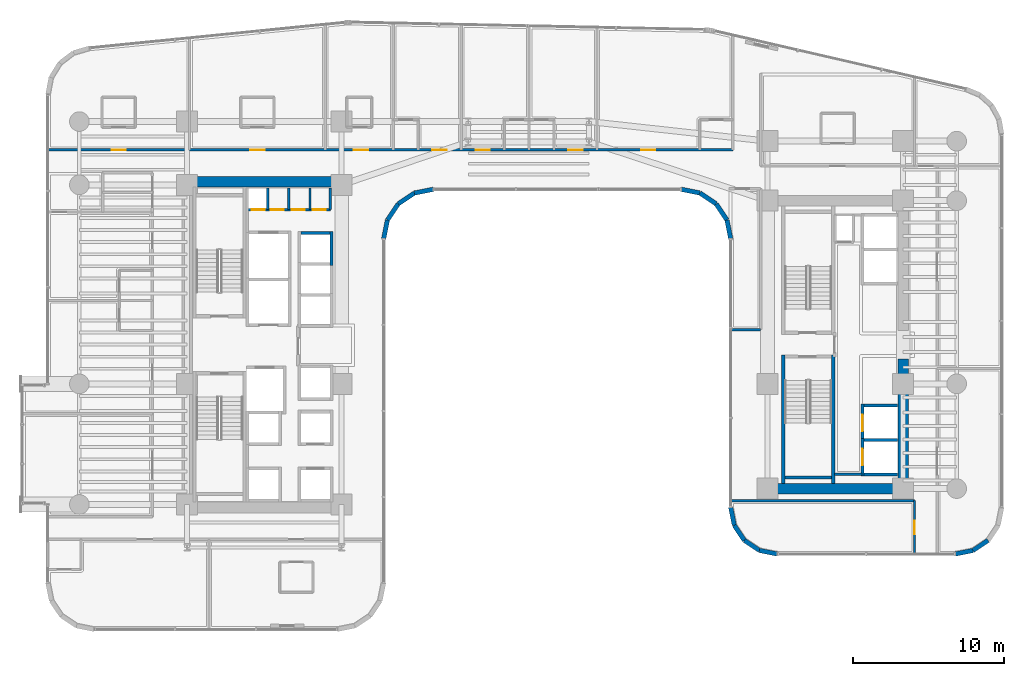
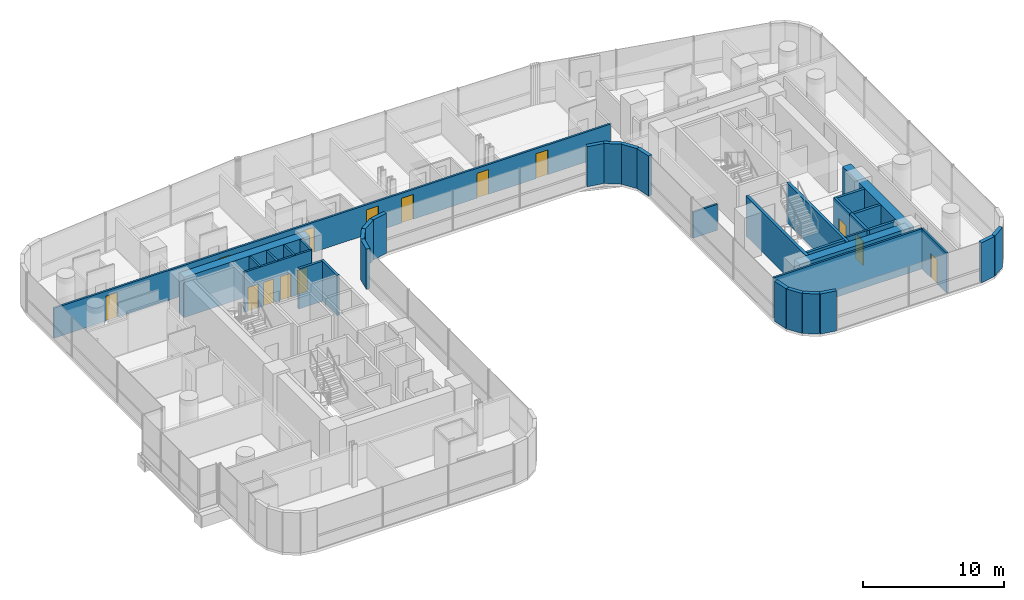
# One storey, part 32 of 40: 37 walls, 14 doors, 14 openings.
"""IFC4 building model written with IfcOpenShell, lengths in metres."""

from ifc_helpers import new_model, si_unit, direction, frame, frame_2d, origin, place, context, subcontext, project, spatial, rectangle, extrude, material, layer, layer_set, type_object, element, fill, save


model = new_model("IFC4")

# Units and contexts
model_context = context("Model", 3, precision=1e-05, world=origin(), true_north=direction((0.0, 1.0)))
body_context = subcontext(model_context, "Body", "Model", "MODEL_VIEW")
ifc_project = project(units=[si_unit("LENGTHUNIT", "METRE"), si_unit("AREAUNIT", "SQUARE_METRE"), si_unit("VOLUMEUNIT", "CUBIC_METRE"), si_unit("PLANEANGLEUNIT", "RADIAN"), si_unit("MASSUNIT", "GRAM", prefix="KILO")], contexts=[model_context])

# Site, building, storey
site_placement = place(None, origin())
site = spatial("IfcSite", under=ifc_project, at=site_placement, CompositionType="ELEMENT")
building_placement = place(site_placement, origin())
building = spatial("IfcBuilding", under=site, at=building_placement, Name="Valdorenza Pilgrim Sanctuary Tower", CompositionType="ELEMENT")
storey_placement = place(building_placement, frame((0.0, 0.0, 92.60009765625)))
storey = spatial("IfcBuildingStorey", under=building, at=storey_placement, Name="L23", CompositionType="ELEMENT", Elevation=92.60009765625)

# Wall, openings, doors
ifc_material_1 = material(Name="Acoustic twin-stud gypsum partition", Category="gypsum")
ifc_layer_1 = layer(ifc_material_1, 0.159912109375, Name="Acoustic twin-stud gypsum partition")
ifc_layer_set_1 = layer_set([ifc_layer_1], Name="Acoustic twin-stud gypsum partition")
wall_type_1 = type_object("IfcWallType", Name="WAL-COR-160", PredefinedType="PARTITIONING", material=ifc_layer_set_1)
wall_1_placement = place(storey_placement, frame((-18.64990234375, 8.949951171875, 0.0), z_axis=(0.0, 0.0, 1.0), x_axis=(1.0, 0.0, 0.0)))
wall_1 = element("IfcWall", 1, at=wall_1_placement, inside=storey, type_object=wall_type_1, Name="L23 Core A North Service South Wall", PredefinedType="PARTITIONING", context=body_context, shape_type="SweptSolid", body=[
    extrude(rectangle(XDim=5.5, YDim=0.159912109375, at=frame_2d((2.75, 0.0))), origin(), (0.0, 0.0, 1.0), 3.4599609375),
])
opening_1_placement = place(wall_1_placement, frame((0.300048828125, 0.0, 0.0)))
opening_1 = element("IfcOpeningElement", 2, at=opening_1_placement, cuts=wall_1, Name="Opening DR-RS1", PredefinedType="OPENING", context=body_context, shape_type="SweptSolid", body=[
    extrude(rectangle(XDim=0.85009765625, YDim=2.050048828125, at=frame_2d((0.425048828125, 1.02490234375))), frame((0.0, 0.0947265625, 0.0), z_axis=(0.0, -1.0, 0.0), x_axis=(1.0, 0.0, 0.0)), (0.0, 0.0, 1.0), 0.189697265625),
])
opening_2_placement = place(wall_1_placement, frame((1.550048828125, 0.0, 0.0)))
opening_2 = element("IfcOpeningElement", 3, at=opening_2_placement, cuts=wall_1, Name="Opening DR-RS1", PredefinedType="OPENING", context=body_context, shape_type="SweptSolid", body=[
    extrude(rectangle(XDim=0.85009765625, YDim=2.050048828125, at=frame_2d((0.425048828125, 1.02490234375))), frame((0.0, 0.0947265625, 0.0), z_axis=(0.0, -1.0, 0.0), x_axis=(1.0, 0.0, 0.0)), (0.0, 0.0, 1.0), 0.189697265625),
])
opening_3_placement = place(wall_1_placement, frame((2.949951171875, 0.0, 0.0)))
opening_3 = element("IfcOpeningElement", 4, at=opening_3_placement, cuts=wall_1, Name="Opening DR-RS1", PredefinedType="OPENING", context=body_context, shape_type="SweptSolid", body=[
    extrude(rectangle(XDim=0.85009765625, YDim=2.050048828125, at=frame_2d((0.425048828125, 1.02490234375))), frame((0.0, 0.0947265625, 0.0), z_axis=(0.0, -1.0, 0.0), x_axis=(1.0, 0.0, 0.0)), (0.0, 0.0, 1.0), 0.189697265625),
])
opening_4_placement = place(wall_1_placement, frame((4.35009765625, 0.0, 0.0)))
opening_4 = element("IfcOpeningElement", 5, at=opening_4_placement, cuts=wall_1, Name="Opening DR-RS1", PredefinedType="OPENING", context=body_context, shape_type="SweptSolid", body=[
    extrude(rectangle(XDim=0.85009765625, YDim=2.050048828125, at=frame_2d((0.425048828125, 1.02490234375))), frame((0.0, 0.0947265625, 0.0), z_axis=(0.0, -1.0, 0.0), x_axis=(1.0, 0.0, 0.0)), (0.0, 0.0, 1.0), 0.189697265625),
])
ifc_material_2 = material(Name="Painted galvanized steel", Category="steel")
door_type_1 = type_object("IfcDoorType", Name="DR-RSR-850", OperationType="NOTDEFINED", PredefinedType="DOOR", material=ifc_material_2)
door_1_placement = place(opening_1_placement, origin())
door_1 = element("IfcDoor", 6, at=door_1_placement, inside=storey, type_object=door_type_1, Name="L23 Core Electrical and Telecom Riser Door", OperationType="SINGLE_SWING_LEFT", OverallHeight=2.050048828125, OverallWidth=0.85009765625, PredefinedType="DOOR", context=body_context, shape_type="SweptSolid", body=[
    extrude(rectangle(XDim=0.85009765625, YDim=2.050048828125, at=frame_2d((0.425048828125, 1.02490234375))), frame((0.0, 0.02490234375, 0.0), z_axis=(0.0, -1.0, 0.0), x_axis=(1.0, 0.0, 0.0)), (0.0, 0.0, 1.0), 0.050048828125),
])
fill(opening_1, door_1)
door_2_placement = place(opening_2_placement, origin())
door_2 = element("IfcDoor", 7, at=door_2_placement, inside=storey, type_object=door_type_1, Name="L23 Housekeeping and Clean Linen Room Door", OperationType="SINGLE_SWING_RIGHT", OverallHeight=2.050048828125, OverallWidth=0.85009765625, PredefinedType="DOOR", context=body_context, shape_type="SweptSolid", body=[
    extrude(rectangle(XDim=0.85009765625, YDim=2.050048828125, at=frame_2d((0.425048828125, 1.02490234375))), frame((0.0, 0.02490234375, 0.0), z_axis=(0.0, -1.0, 0.0), x_axis=(1.0, 0.0, 0.0)), (0.0, 0.0, 1.0), 0.050048828125),
])
fill(opening_2, door_2)
door_3_placement = place(opening_3_placement, origin())
door_3 = element("IfcDoor", 8, at=door_3_placement, inside=storey, type_object=door_type_1, Name="L23 Core IT Server Closet Door", OperationType="SINGLE_SWING_LEFT", OverallHeight=2.050048828125, OverallWidth=0.85009765625, PredefinedType="DOOR", context=body_context, shape_type="SweptSolid", body=[
    extrude(rectangle(XDim=0.85009765625, YDim=2.050048828125, at=frame_2d((0.425048828125, 1.02490234375))), frame((0.0, 0.02490234375, 0.0), z_axis=(0.0, -1.0, 0.0), x_axis=(1.0, 0.0, 0.0)), (0.0, 0.0, 1.0), 0.050048828125),
])
fill(opening_3, door_3)
door_4_placement = place(opening_4_placement, origin())
door_4 = element("IfcDoor", 9, at=door_4_placement, inside=storey, type_object=door_type_1, Name="L23 Core Staff Washroom Door", OperationType="SINGLE_SWING_RIGHT", OverallHeight=2.050048828125, OverallWidth=0.85009765625, PredefinedType="DOOR", context=body_context, shape_type="SweptSolid", body=[
    extrude(rectangle(XDim=0.85009765625, YDim=2.050048828125, at=frame_2d((0.425048828125, 1.02490234375))), frame((0.0, 0.02490234375, 0.0), z_axis=(0.0, -1.0, 0.0), x_axis=(1.0, 0.0, 0.0)), (0.0, 0.0, 1.0), 0.050048828125),
])
fill(opening_4, door_4)

# Walls
for number, where, z_axis, x_axis, name in (
    (10, (-13.14990234375, 8.949951171875, 0.0), (0.0, 0.0, 1.0), (0.0, 1.0, 0.0), "L23 Core A North Service East Wall"),
    (11, (-17.300048828125, 8.949951171875, 0.0), (0.0, 0.0, 1.0), (0.0, 1.0, 0.0), "L23 Core Electrical Riser Wall"),
    (12, (-15.89990234375, 8.949951171875, 0.0), (0.0, 0.0, 1.0), (0.0, 1.0, 0.0), "L23 Core A Split D1"),
    (13, (-14.5, 8.949951171875, 0.0), (0.0, 0.0, 1.0), (0.0, 1.0, 0.0), "L23 Core A Split D2"),
):
    element("IfcWall", number, at=place(storey_placement, frame(where, z_axis=z_axis, x_axis=x_axis)), inside=storey, type_object=wall_type_1, Name=name, PredefinedType="PARTITIONING", context=body_context, shape_type="SweptSolid", body=[
        extrude(rectangle(XDim=1.429931640625, YDim=0.159912109375, at=frame_2d((0.71484375, 0.0))), origin(), (0.0, 0.0, 1.0), 3.4599609375),
    ])
wall_2_placement = place(storey_placement, frame((20.300048828125, -8.60009765625, 0.0), z_axis=(0.0, 0.0, 1.0), x_axis=(1.0, 0.0, 0.0)))
element("IfcWall", 14, at=wall_2_placement, inside=storey, type_object=wall_type_1, Name="L23 Core B Lift Hall South End Wall", PredefinedType="PARTITIONING", context=body_context, shape_type="SweptSolid", body=[
    extrude(rectangle(XDim=1.820068359375, YDim=0.159912109375, at=frame_2d((0.91015625, 0.0))), origin(), (0.0, 0.0, 1.0), 3.4599609375),
])

# Wall, openings, doors
wall_3_placement = place(storey_placement, frame((-31.889892578125, 12.919921875, 0.0), z_axis=(0.0, 0.0, 1.0), x_axis=(1.0, 0.0, 0.0)))
wall_3 = element("IfcWall", 15, at=wall_3_placement, inside=storey, type_object=wall_type_1, Name="L23 North Corridor Wall", PredefinedType="PARTITIONING", context=body_context, shape_type="SweptSolid", body=[
    extrude(rectangle(XDim=45.43994140625, YDim=0.159912109375, at=frame_2d((22.719970703125, 0.0))), origin(), (0.0, 0.0, 1.0), 2.5830078125),
])
opening_5_placement = place(wall_3_placement, frame((4.22509765625, 0.0, 0.0)))
opening_5 = element("IfcOpeningElement", 16, at=opening_5_placement, cuts=wall_3, Name="Opening DR-UN1", PredefinedType="OPENING", context=body_context, shape_type="SweptSolid", body=[
    extrude(rectangle(XDim=0.949951171875, YDim=2.14990234375, at=frame_2d((0.47509765625, 1.074951171875))), frame((0.0, 0.0947265625, 0.0), z_axis=(0.0, -1.0, 0.0), x_axis=(1.0, 0.0, 0.0)), (0.0, 0.0, 1.0), 0.189697265625),
])
opening_6_placement = place(wall_3_placement, frame((13.429931640625, 0.0, 0.0)))
opening_6 = element("IfcOpeningElement", 17, at=opening_6_placement, cuts=wall_3, Name="Opening DR-UN1", PredefinedType="OPENING", context=body_context, shape_type="SweptSolid", body=[
    extrude(rectangle(XDim=0.949951171875, YDim=2.14990234375, at=frame_2d((0.47509765625, 1.074951171875))), frame((0.0, 0.0947265625, 0.0), z_axis=(0.0, -1.0, 0.0), x_axis=(1.0, 0.0, 0.0)), (0.0, 0.0, 1.0), 0.189697265625),
])
opening_7_placement = place(wall_3_placement, frame((20.31005859375, 0.0, 0.0)))
opening_7 = element("IfcOpeningElement", 18, at=opening_7_placement, cuts=wall_3, Name="Opening DR-UN1", PredefinedType="OPENING", context=body_context, shape_type="SweptSolid", body=[
    extrude(rectangle(XDim=0.949951171875, YDim=2.14990234375, at=frame_2d((0.47509765625, 1.074951171875))), frame((0.0, 0.0947265625, 0.0), z_axis=(0.0, -1.0, 0.0), x_axis=(1.0, 0.0, 0.0)), (0.0, 0.0, 1.0), 0.189697265625),
])
opening_8_placement = place(wall_3_placement, frame((25.51708984375, 0.0, 0.0)))
opening_8 = element("IfcOpeningElement", 19, at=opening_8_placement, cuts=wall_3, Name="Opening DR-UN1", PredefinedType="OPENING", context=body_context, shape_type="SweptSolid", body=[
    extrude(rectangle(XDim=0.949951171875, YDim=2.14990234375, at=frame_2d((0.47509765625, 1.074951171875))), frame((0.0, 0.0947265625, 0.0), z_axis=(0.0, -1.0, 0.0), x_axis=(1.0, 0.0, 0.0)), (0.0, 0.0, 1.0), 0.189697265625),
])
opening_9_placement = place(wall_3_placement, frame((28.373046875, 0.0, 0.0)))
opening_9 = element("IfcOpeningElement", 20, at=opening_9_placement, cuts=wall_3, Name="Opening DR-UN1", PredefinedType="OPENING", context=body_context, shape_type="SweptSolid", body=[
    extrude(rectangle(XDim=0.949951171875, YDim=2.14990234375, at=frame_2d((0.47509765625, 1.074951171875))), frame((0.0, 0.0947265625, 0.0), z_axis=(0.0, -1.0, 0.0), x_axis=(1.0, 0.0, 0.0)), (0.0, 0.0, 1.0), 0.189697265625),
])
opening_10_placement = place(wall_3_placement, frame((34.527099609375, 0.0, 0.0)))
opening_10 = element("IfcOpeningElement", 21, at=opening_10_placement, cuts=wall_3, Name="Opening DR-UN1", PredefinedType="OPENING", context=body_context, shape_type="SweptSolid", body=[
    extrude(rectangle(XDim=0.949951171875, YDim=2.14990234375, at=frame_2d((0.47509765625, 1.074951171875))), frame((0.0, 0.0947265625, 0.0), z_axis=(0.0, -1.0, 0.0), x_axis=(1.0, 0.0, 0.0)), (0.0, 0.0, 1.0), 0.189697265625),
])
opening_11_placement = place(wall_3_placement, frame((39.360107421875, 0.0, 0.0)))
opening_11 = element("IfcOpeningElement", 22, at=opening_11_placement, cuts=wall_3, Name="Opening DR-UN1", PredefinedType="OPENING", context=body_context, shape_type="SweptSolid", body=[
    extrude(rectangle(XDim=0.949951171875, YDim=2.14990234375, at=frame_2d((0.47509765625, 1.074951171875))), frame((0.0, 0.0947265625, 0.0), z_axis=(0.0, -1.0, 0.0), x_axis=(1.0, 0.0, 0.0)), (0.0, 0.0, 1.0), 0.189697265625),
])
ifc_material_3 = material(Name="Solid-core European oak timber", Category="wood")
door_type_2 = type_object("IfcDoorType", Name="DR-UNIT-950", OperationType="NOTDEFINED", PredefinedType="DOOR", material=ifc_material_3)
door_5_placement = place(opening_5_placement, frame((0.949951171875, 0.0, 0.0), z_axis=(0.0, 0.0, 1.0), x_axis=(-1.0, 0.0, 0.0)))
door_5 = element("IfcDoor", 23, at=door_5_placement, inside=storey, type_object=door_type_2, Name="L23 North Guest Room L23-N1 Entrance Door", OperationType="SINGLE_SWING_LEFT", OverallHeight=2.14990234375, OverallWidth=0.949951171875, PredefinedType="DOOR", context=body_context, shape_type="SweptSolid", body=[
    extrude(rectangle(XDim=0.949951171875, YDim=2.14990234375, at=frame_2d((0.47509765625, 1.074951171875))), frame((0.0, 0.02490234375, 0.0), z_axis=(0.0, -1.0, 0.0), x_axis=(1.0, 0.0, 0.0)), (0.0, 0.0, 1.0), 0.050048828125),
])
fill(opening_5, door_5)
door_6_placement = place(opening_6_placement, frame((0.949951171875, 0.0, 0.0), z_axis=(0.0, 0.0, 1.0), x_axis=(-1.0, 0.0, 0.0)))
door_6 = element("IfcDoor", 24, at=door_6_placement, inside=storey, type_object=door_type_2, Name="L23 North Guest Room L23-N2 Entrance Door", OperationType="SINGLE_SWING_LEFT", OverallHeight=2.14990234375, OverallWidth=0.949951171875, PredefinedType="DOOR", context=body_context, shape_type="SweptSolid", body=[
    extrude(rectangle(XDim=0.949951171875, YDim=2.14990234375, at=frame_2d((0.47509765625, 1.074951171875))), frame((0.0, 0.02490234375, 0.0), z_axis=(0.0, -1.0, 0.0), x_axis=(1.0, 0.0, 0.0)), (0.0, 0.0, 1.0), 0.050048828125),
])
fill(opening_6, door_6)
door_7_placement = place(opening_7_placement, frame((0.949951171875, 0.0, 0.0), z_axis=(0.0, 0.0, 1.0), x_axis=(-1.0, 0.0, 0.0)))
door_7 = element("IfcDoor", 25, at=door_7_placement, inside=storey, type_object=door_type_2, Name="L23 North Guest Room L23-N3A Entrance Door", OperationType="SINGLE_SWING_LEFT", OverallHeight=2.14990234375, OverallWidth=0.949951171875, PredefinedType="DOOR", context=body_context, shape_type="SweptSolid", body=[
    extrude(rectangle(XDim=0.949951171875, YDim=2.14990234375, at=frame_2d((0.47509765625, 1.074951171875))), frame((0.0, 0.02490234375, 0.0), z_axis=(0.0, -1.0, 0.0), x_axis=(1.0, 0.0, 0.0)), (0.0, 0.0, 1.0), 0.050048828125),
])
fill(opening_7, door_7)
door_8_placement = place(opening_8_placement, frame((0.949951171875, 0.0, 0.0), z_axis=(0.0, 0.0, 1.0), x_axis=(-1.0, 0.0, 0.0)))
door_8 = element("IfcDoor", 26, at=door_8_placement, inside=storey, type_object=door_type_2, Name="L23 North Guest Room L23-N3B Entrance Door", OperationType="SINGLE_SWING_LEFT", OverallHeight=2.14990234375, OverallWidth=0.949951171875, PredefinedType="DOOR", context=body_context, shape_type="SweptSolid", body=[
    extrude(rectangle(XDim=0.949951171875, YDim=2.14990234375, at=frame_2d((0.47509765625, 1.074951171875))), frame((0.0, 0.02490234375, 0.0), z_axis=(0.0, -1.0, 0.0), x_axis=(1.0, 0.0, 0.0)), (0.0, 0.0, 1.0), 0.050048828125),
])
fill(opening_8, door_8)
door_9_placement = place(opening_9_placement, frame((0.949951171875, 0.0, 0.0), z_axis=(0.0, 0.0, 1.0), x_axis=(-1.0, 0.0, 0.0)))
door_9 = element("IfcDoor", 27, at=door_9_placement, inside=storey, type_object=door_type_2, Name="L23 North Guest Room L23-N4A Entrance Door", OperationType="SINGLE_SWING_LEFT", OverallHeight=2.14990234375, OverallWidth=0.949951171875, PredefinedType="DOOR", context=body_context, shape_type="SweptSolid", body=[
    extrude(rectangle(XDim=0.949951171875, YDim=2.14990234375, at=frame_2d((0.47509765625, 1.074951171875))), frame((0.0, 0.02490234375, 0.0), z_axis=(0.0, -1.0, 0.0), x_axis=(1.0, 0.0, 0.0)), (0.0, 0.0, 1.0), 0.050048828125),
])
fill(opening_9, door_9)
door_10_placement = place(opening_10_placement, frame((0.949951171875, 0.0, 0.0), z_axis=(0.0, 0.0, 1.0), x_axis=(-1.0, 0.0, 0.0)))
door_10 = element("IfcDoor", 28, at=door_10_placement, inside=storey, type_object=door_type_2, Name="L23 North Guest Room L23-N4B Entrance Door", OperationType="SINGLE_SWING_LEFT", OverallHeight=2.14990234375, OverallWidth=0.949951171875, PredefinedType="DOOR", context=body_context, shape_type="SweptSolid", body=[
    extrude(rectangle(XDim=0.949951171875, YDim=2.14990234375, at=frame_2d((0.47509765625, 1.074951171875))), frame((0.0, 0.02490234375, 0.0), z_axis=(0.0, -1.0, 0.0), x_axis=(1.0, 0.0, 0.0)), (0.0, 0.0, 1.0), 0.050048828125),
])
fill(opening_10, door_10)
door_11_placement = place(opening_11_placement, frame((0.949951171875, 0.0, 0.0), z_axis=(0.0, 0.0, 1.0), x_axis=(-1.0, 0.0, 0.0)))
door_11 = element("IfcDoor", 29, at=door_11_placement, inside=storey, type_object=door_type_2, Name="L23 North Guest Room L23-N5 Entrance Door", OperationType="SINGLE_SWING_LEFT", OverallHeight=2.14990234375, OverallWidth=0.949951171875, PredefinedType="DOOR", context=body_context, shape_type="SweptSolid", body=[
    extrude(rectangle(XDim=0.949951171875, YDim=2.14990234375, at=frame_2d((0.47509765625, 1.074951171875))), frame((0.0, 0.02490234375, 0.0), z_axis=(0.0, -1.0, 0.0), x_axis=(1.0, 0.0, 0.0)), (0.0, 0.0, 1.0), 0.050048828125),
])
fill(opening_11, door_11)

# Wall, opening, door
wall_4_placement = place(storey_placement, frame((25.60009765625, -13.889892578125, 0.0), z_axis=(0.0, 0.0, 1.0), x_axis=(0.0, 1.0, 0.0)))
wall_4 = element("IfcWall", 30, at=wall_4_placement, inside=storey, type_object=wall_type_1, Name="L23 Wing B South-East Corridor Wall", PredefinedType="PARTITIONING", context=body_context, shape_type="SweptSolid", body=[
    extrude(rectangle(XDim=3.539794921875, YDim=0.159912109375, at=frame_2d((1.77001953125, 0.0))), origin(), (0.0, 0.0, 1.0), 3.4599609375),
])
opening_12_placement = place(wall_4_placement, frame((1.320068359375, 0.0, 0.0)))
opening_12 = element("IfcOpeningElement", 31, at=opening_12_placement, cuts=wall_4, Name="Opening DR-RM1", PredefinedType="OPENING", context=body_context, shape_type="SweptSolid", body=[
    extrude(rectangle(XDim=0.89990234375, YDim=2.10009765625, at=frame_2d((0.449951171875, 1.050048828125))), frame((0.0, 0.0947265625, 0.0), z_axis=(0.0, -1.0, 0.0), x_axis=(1.0, 0.0, 0.0)), (0.0, 0.0, 1.0), 0.189697265625),
])
door_type_3 = type_object("IfcDoorType", Name="DR-ROOM-900", OperationType="NOTDEFINED", PredefinedType="DOOR", material=ifc_material_3)
door_12_placement = place(opening_12_placement, frame((0.89990234375, 0.0, 0.0), z_axis=(0.0, 0.0, 1.0), x_axis=(-1.0, 0.0, 0.0)))
door_12 = element("IfcDoor", 32, at=door_12_placement, inside=storey, type_object=door_type_3, Name="L23 Theological Reference Library L23-BS Door", OperationType="SINGLE_SWING_LEFT", OverallHeight=2.10009765625, OverallWidth=0.89990234375, PredefinedType="DOOR", context=body_context, shape_type="SweptSolid", body=[
    extrude(rectangle(XDim=0.89990234375, YDim=2.10009765625, at=frame_2d((0.449951171875, 1.050048828125))), frame((0.0, 0.02490234375, 0.0), z_axis=(0.0, -1.0, 0.0), x_axis=(1.0, 0.0, 0.0)), (0.0, 0.0, 1.0), 0.050048828125),
])
fill(opening_12, door_12)

# Walls
wall_5_placement = place(storey_placement, frame((13.409912109375, -10.35009765625, 0.0), z_axis=(0.0, 0.0, 1.0), x_axis=(1.0, 0.0, 0.0)))
element("IfcWall", 33, at=wall_5_placement, inside=storey, type_object=wall_type_1, Name="L23 Wing B South North Wall", PredefinedType="PARTITIONING", context=body_context, shape_type="SweptSolid", body=[
    extrude(rectangle(XDim=12.190185546875, YDim=0.159912109375, at=frame_2d((6.09521484375, 0.0))), origin(), (0.0, 0.0, 1.0), 3.4599609375),
])
wall_6_placement = place(storey_placement, frame((13.409912109375, 1.0, 0.0), z_axis=(0.0, 0.0, 1.0), x_axis=(1.0, 0.0, 0.0)))
element("IfcWall", 34, at=wall_6_placement, inside=storey, type_object=wall_type_1, Name="L23 Courtyard Overlook South Wall", PredefinedType="PARTITIONING", context=body_context, shape_type="SweptSolid", body=[
    extrude(rectangle(XDim=1.989990234375, YDim=0.159912109375, at=frame_2d((0.9951171875, 0.0))), origin(), (0.0, 0.0, 1.0), 2.244873046875),
])
ifc_material_4 = material(Name="Concrete C60/75", Category="concrete")
ifc_layer_2 = layer(ifc_material_4, 0.699951171875, Name="Concrete C60/75")
ifc_layer_set_2 = layer_set([ifc_layer_2], Name="Concrete C60/75")
wall_type_2 = type_object("IfcWallType", Name="WAL-COR-700", PredefinedType="SHEAR", material=ifc_layer_set_2)
wall_7_placement = place(storey_placement, frame((-22.64990234375, 10.800048828125, 0.0), z_axis=(0.0, 0.0, 1.0), x_axis=(1.0, 0.0, 0.0)))
element("IfcWall", 35, at=wall_7_placement, inside=storey, type_object=wall_type_2, Name="L23 Split Core A Shear Wall N", PredefinedType="SHEAR", context=body_context, shape_type="SweptSolid", body=[
    extrude(rectangle(XDim=10.25, YDim=0.699951171875, at=frame_2d((5.125, 0.0))), origin(), (0.0, 0.0, 1.0), 3.4599609375),
])
wall_8_placement = place(storey_placement, frame((24.85009765625, -9.89990234375, 0.0), z_axis=(0.0, 0.0, 1.0), x_axis=(0.0, 1.0, 0.0)))
element("IfcWall", 36, at=wall_8_placement, inside=storey, type_object=wall_type_2, Name="L23 Split Core B Shear Wall ES", PredefinedType="SHEAR", context=body_context, shape_type="SweptSolid", body=[
    extrude(rectangle(XDim=8.949951171875, YDim=0.699951171875, at=frame_2d((4.47509765625, 0.0))), origin(), (0.0, 0.0, 1.0), 3.4599609375),
])
wall_9_placement = place(storey_placement, frame((15.85009765625, -9.550048828125, 0.0), z_axis=(0.0, 0.0, 1.0), x_axis=(1.0, 0.0, 0.0)))
element("IfcWall", 37, at=wall_9_placement, inside=storey, type_object=wall_type_2, Name="L23 Split Core B Shear Wall S", PredefinedType="SHEAR", context=body_context, shape_type="SweptSolid", body=[
    extrude(rectangle(XDim=9.0, YDim=0.699951171875, at=frame_2d((4.5, 0.0))), origin(), (0.0, 0.0, 1.0), 3.4599609375),
])
ifc_material_5 = material(Name="Honed travertine limestone", Category="masonry")
ifc_layer_3 = layer(ifc_material_5, 0.300048828125, Name="Honed travertine limestone")
ifc_layer_set_3 = layer_set([ifc_layer_3], Name="Honed travertine limestone")
wall_type_3 = type_object("IfcWallType", Name="WAL-EXT-300", PredefinedType="SOLIDWALL", material=ifc_layer_set_3)
wall_10_placement = place(storey_placement, frame((30.4833984375, -12.9833984375, 0.0), z_axis=(0.0, 0.0, 1.0), x_axis=(-0.831426265255, -0.555635100982, 0.0)))
element("IfcWall", 38, at=wall_10_placement, inside=storey, type_object=wall_type_3, Name="L23 Rounded Wind-Corner Stone Pier 24", PredefinedType="SOLIDWALL", context=body_context, shape_type="SweptSolid", body=[
    extrude(rectangle(XDim=1.204833984375, YDim=0.300048828125, at=frame_2d((0.6025390625, 0.0))), origin(), (0.0, 0.0, 1.0), 3.4599609375),
])
for number, where, z_axis, x_axis, name in (
    (39, (29.481689453125, -13.65283203125, 0.0), (0.0, 0.0, 1.0), (-0.980804027463, -0.194996050505, 0.0), "L23 Rounded Wind-Corner Stone Pier 25"),
    (40, (16.5107421875, -13.889892578125, 0.0), (0.0, 0.0, 1.0), (-0.980804027463, 0.194996050505, 0.0), "L23 Rounded Wind-Corner Stone Pier 27"),
):
    element("IfcWall", number, at=place(storey_placement, frame(where, z_axis=z_axis, x_axis=x_axis)), inside=storey, type_object=wall_type_3, Name=name, PredefinedType="SOLIDWALL", context=body_context, shape_type="SweptSolid", body=[
        extrude(rectangle(XDim=1.2158203125, YDim=0.300048828125, at=frame_2d((0.60791015625, 0.0))), origin(), (0.0, 0.0, 1.0), 3.4599609375),
    ])
for number, where, z_axis, x_axis, name in (
    (41, (15.318359375, -13.65283203125, 0.0), (0.0, 0.0, 1.0), (-0.831426265255, 0.555635100982, 0.0), "L23 Rounded Wind-Corner Stone Pier 28"),
    (42, (14.316650390625, -12.9833984375, 0.0), (0.0, 0.0, 1.0), (-0.555635100982, 0.831426265255, 0.0), "L23 Rounded Wind-Corner Stone Pier 29"),
):
    element("IfcWall", number, at=place(storey_placement, frame(where, z_axis=z_axis, x_axis=x_axis)), inside=storey, type_object=wall_type_3, Name=name, PredefinedType="SOLIDWALL", context=body_context, shape_type="SweptSolid", body=[
        extrude(rectangle(XDim=1.204833984375, YDim=0.300048828125, at=frame_2d((0.6025390625, 0.0))), origin(), (0.0, 0.0, 1.0), 3.4599609375),
    ])
wall_11_placement = place(storey_placement, frame((13.647216796875, -11.981689453125, 0.0), z_axis=(0.0, 0.0, 1.0), x_axis=(-0.195189223115, 0.980765602568, 0.0)))
element("IfcWall", 43, at=wall_11_placement, inside=storey, type_object=wall_type_3, Name="L23 Rounded Wind-Corner Stone Pier 30", PredefinedType="SOLIDWALL", context=body_context, shape_type="SweptSolid", body=[
    extrude(rectangle(XDim=1.2158203125, YDim=0.300048828125, at=frame_2d((0.60791015625, 0.0))), origin(), (0.0, 0.0, 1.0), 3.4599609375),
])
wall_12_placement = place(storey_placement, frame((13.409912109375, 7.0107421875, 0.0), z_axis=(0.0, 0.0, 1.0), x_axis=(-0.195090163074, 0.980785312019, 0.0)))
element("IfcWall", 44, at=wall_12_placement, inside=storey, type_object=wall_type_3, Name="L23 Rounded Wind-Corner Stone Pier 32", PredefinedType="SOLIDWALL", context=body_context, shape_type="SweptSolid", body=[
    extrude(rectangle(XDim=1.281494140625, YDim=0.300048828125, at=frame_2d((0.640625, 0.0))), origin(), (0.0, 0.0, 1.0), 3.4599609375),
])
for number, where, z_axis, x_axis, name in (
    (45, (13.159912109375, 8.267578125, 0.0), (0.0, 0.0, 1.0), (-0.555615398575, 0.831439431869, 0.0), "L23 Rounded Wind-Corner Stone Pier 33"),
    (46, (12.44189453125, 9.342041015625, 0.0), (0.0, 0.0, 1.0), (-0.831439431869, 0.555615398575, 0.0), "L23 Rounded Wind-Corner Stone Pier 34"),
):
    element("IfcWall", number, at=place(storey_placement, frame(where, z_axis=z_axis, x_axis=x_axis)), inside=storey, type_object=wall_type_3, Name=name, PredefinedType="SOLIDWALL", context=body_context, shape_type="SweptSolid", body=[
        extrude(rectangle(XDim=1.292236328125, YDim=0.300048828125, at=frame_2d((0.64599609375, 0.0))), origin(), (0.0, 0.0, 1.0), 3.4599609375),
    ])
for number, where, z_axis, x_axis, name in (
    (47, (11.367431640625, 10.06005859375, 0.0), (0.0, 0.0, 1.0), (-0.980778058848, 0.195126623715, 0.0), "L23 Rounded Wind-Corner Stone Pier 35"),
    (48, (-6.310791015625, 10.31005859375, 0.0), (0.0, 0.0, 1.0), (-0.980778058848, -0.195126623715, 0.0), "L23 Rounded Wind-Corner Stone Pier 37"),
):
    element("IfcWall", number, at=place(storey_placement, frame(where, z_axis=z_axis, x_axis=x_axis)), inside=storey, type_object=wall_type_3, Name=name, PredefinedType="SOLIDWALL", context=body_context, shape_type="SweptSolid", body=[
        extrude(rectangle(XDim=1.28125, YDim=0.300048828125, at=frame_2d((0.640625, 0.0))), origin(), (0.0, 0.0, 1.0), 3.4599609375),
    ])
wall_13_placement = place(storey_placement, frame((-7.5673828125, 10.06005859375, 0.0), z_axis=(0.0, 0.0, 1.0), x_axis=(-0.831497739511, -0.555528135371, 0.0)))
element("IfcWall", 49, at=wall_13_placement, inside=storey, type_object=wall_type_3, Name="L23 Rounded Wind-Corner Stone Pier 38", PredefinedType="SOLIDWALL", context=body_context, shape_type="SweptSolid", body=[
    extrude(rectangle(XDim=1.29248046875, YDim=0.300048828125, at=frame_2d((0.646240234375, 0.0))), origin(), (0.0, 0.0, 1.0), 3.4599609375),
])
wall_14_placement = place(storey_placement, frame((-8.64208984375, 9.342041015625, 0.0), z_axis=(0.0, 0.0, 1.0), x_axis=(-0.555615398575, -0.831439431869, 0.0)))
element("IfcWall", 50, at=wall_14_placement, inside=storey, type_object=wall_type_3, Name="L23 Rounded Wind-Corner Stone Pier 39", PredefinedType="SOLIDWALL", context=body_context, shape_type="SweptSolid", body=[
    extrude(rectangle(XDim=1.292236328125, YDim=0.300048828125, at=frame_2d((0.64599609375, 0.0))), origin(), (0.0, 0.0, 1.0), 3.4599609375),
])
wall_15_placement = place(storey_placement, frame((-9.360107421875, 8.267578125, 0.0), z_axis=(0.0, 0.0, 1.0), x_axis=(-0.195090163074, -0.980785312019, 0.0)))
element("IfcWall", 51, at=wall_15_placement, inside=storey, type_object=wall_type_3, Name="L23 Rounded Wind-Corner Stone Pier 40", PredefinedType="SOLIDWALL", context=body_context, shape_type="SweptSolid", body=[
    extrude(rectangle(XDim=1.281494140625, YDim=0.300048828125, at=frame_2d((0.640625, 0.0))), origin(), (0.0, 0.0, 1.0), 3.4599609375),
])

# Wall, opening, door
ifc_material_6 = material(Name="Autoclaved aerated concrete blockwork", Category="masonry")
ifc_layer_4 = layer(ifc_material_6, 0.199951171875, Name="Autoclaved aerated concrete blockwork")
ifc_layer_set_4 = layer_set([ifc_layer_4], Name="Autoclaved aerated concrete blockwork")
wall_type_4 = type_object("IfcWallType", Name="WAL-SHF-200", PredefinedType="MOVABLE", material=ifc_layer_set_4)
wall_16_placement = place(storey_placement, frame((22.14990234375, -8.699951171875, 0.0), z_axis=(0.0, 0.0, 1.0), x_axis=(0.0, 1.0, 0.0)))
wall_16 = element("IfcWall", 52, at=wall_16_placement, inside=storey, type_object=wall_type_4, Name="L23 Lift PL-03 Hoistway Wall West", PredefinedType="MOVABLE", context=body_context, shape_type="SweptSolid", body=[
    extrude(rectangle(XDim=2.474853515625, YDim=0.199951171875, at=frame_2d((1.2373046875, 0.0))), origin(), (0.0, 0.0, 1.0), 3.4599609375),
])
opening_13_placement = place(wall_16_placement, frame((0.6875, 0.0, 0.0)))
opening_13 = element("IfcOpeningElement", 53, at=opening_13_placement, cuts=wall_16, Name="Opening LD-01", PredefinedType="OPENING", context=body_context, shape_type="SweptSolid", body=[
    extrude(rectangle(XDim=1.10009765625, YDim=2.10009765625, at=frame_2d((0.550048828125, 1.050048828125))), frame((0.0, 0.11474609375, 0.0), z_axis=(0.0, -1.0, 0.0), x_axis=(1.0, 0.0, 0.0)), (0.0, 0.0, 1.0), 0.229736328125),
])
ifc_material_7 = material(Name="Brushed stainless steel Grade 316", Category="steel")
door_type_4 = type_object("IfcDoorType", Name="DR-LFT-1100", OperationType="DOUBLE_DOOR_SLIDING", PredefinedType="DOOR", material=ifc_material_7)
door_13_placement = place(opening_13_placement, origin())
door_13 = element("IfcDoor", 54, at=door_13_placement, inside=storey, type_object=door_type_4, Name="L23 Lift PL-03 Sliding Landing Door", OperationType="DOUBLE_DOOR_SLIDING", OverallHeight=2.10009765625, OverallWidth=1.10009765625, PredefinedType="DOOR", context=body_context, shape_type="SweptSolid", body=[
    extrude(rectangle(XDim=1.10009765625, YDim=2.10009765625, at=frame_2d((0.550048828125, 1.050048828125))), frame((0.0, 0.02490234375, 0.0), z_axis=(0.0, -1.0, 0.0), x_axis=(1.0, 0.0, 0.0)), (0.0, 0.0, 1.0), 0.050048828125),
])
fill(opening_13, door_13)

# Walls
for number, where, z_axis, x_axis, name in (
    (55, (22.25, -8.60009765625, 0.0), (0.0, 0.0, 1.0), (1.0, 0.0, 0.0), "L23 Lift PL-03 Hoistway Wall South"),
    (56, (22.25, -6.324951171875, 0.0), (0.0, 0.0, 1.0), (1.0, 0.0, 0.0), "L23 Lift PL-03 Hoistway Wall North"),
):
    element("IfcWall", number, at=place(storey_placement, frame(where, z_axis=z_axis, x_axis=x_axis)), inside=storey, type_object=wall_type_4, Name=name, PredefinedType="MOVABLE", context=body_context, shape_type="SweptSolid", body=[
        extrude(rectangle(XDim=2.22998046875, YDim=0.199951171875, at=frame_2d((1.114990234375, 0.0))), origin(), (0.0, 0.0, 1.0), 3.4599609375),
    ])

# Wall, opening, door
wall_17_placement = place(storey_placement, frame((22.14990234375, -6.425048828125, 0.0), z_axis=(0.0, 0.0, 1.0), x_axis=(0.0, 1.0, 0.0)))
wall_17 = element("IfcWall", 57, at=wall_17_placement, inside=storey, type_object=wall_type_4, Name="L23 Lift PL-04 Hoistway Wall West", PredefinedType="MOVABLE", context=body_context, shape_type="SweptSolid", body=[
    extrude(rectangle(XDim=2.47509765625, YDim=0.199951171875, at=frame_2d((1.237548828125, 0.0))), origin(), (0.0, 0.0, 1.0), 3.4599609375),
])
opening_14_placement = place(wall_17_placement, frame((0.6875, 0.0, 0.0)))
opening_14 = element("IfcOpeningElement", 58, at=opening_14_placement, cuts=wall_17, Name="Opening LD-01", PredefinedType="OPENING", context=body_context, shape_type="SweptSolid", body=[
    extrude(rectangle(XDim=1.10009765625, YDim=2.10009765625, at=frame_2d((0.550048828125, 1.050048828125))), frame((0.0, 0.11474609375, 0.0), z_axis=(0.0, -1.0, 0.0), x_axis=(1.0, 0.0, 0.0)), (0.0, 0.0, 1.0), 0.229736328125),
])
door_14_placement = place(opening_14_placement, origin())
door_14 = element("IfcDoor", 59, at=door_14_placement, inside=storey, type_object=door_type_4, Name="L23 Lift PL-04 Sliding Landing Door", OperationType="DOUBLE_DOOR_SLIDING", OverallHeight=2.10009765625, OverallWidth=1.10009765625, PredefinedType="DOOR", context=body_context, shape_type="SweptSolid", body=[
    extrude(rectangle(XDim=1.10009765625, YDim=2.10009765625, at=frame_2d((0.550048828125, 1.050048828125))), frame((0.0, 0.02490234375, 0.0), z_axis=(0.0, -1.0, 0.0), x_axis=(1.0, 0.0, 0.0)), (0.0, 0.0, 1.0), 0.050048828125),
])
fill(opening_14, door_14)

# Walls
wall_18_placement = place(storey_placement, frame((22.25, -4.050048828125, 0.0), z_axis=(0.0, 0.0, 1.0), x_axis=(1.0, 0.0, 0.0)))
element("IfcWall", 60, at=wall_18_placement, inside=storey, type_object=wall_type_4, Name="L23 Lift PL-04 Hoistway Wall North", PredefinedType="MOVABLE", context=body_context, shape_type="SweptSolid", body=[
    extrude(rectangle(XDim=2.22998046875, YDim=0.199951171875, at=frame_2d((1.114990234375, 0.0))), origin(), (0.0, 0.0, 1.0), 3.4599609375),
])
wall_19_placement = place(storey_placement, frame((-13.080078125, 5.25, 0.0), z_axis=(0.0, 0.0, 1.0), x_axis=(0.0, 1.0, 0.0)))
element("IfcWall", 61, at=wall_19_placement, inside=storey, type_object=wall_type_4, Name="L23 Lift PL-10 Hoistway Wall East", PredefinedType="MOVABLE", context=body_context, shape_type="SweptSolid", body=[
    extrude(rectangle(XDim=2.25, YDim=0.199951171875, at=frame_2d((1.125, 0.0))), origin(), (0.0, 0.0, 1.0), 3.4599609375),
])
wall_20_placement = place(storey_placement, frame((-15.10009765625, 7.39990234375, 0.0), z_axis=(0.0, 0.0, 1.0), x_axis=(1.0, 0.0, 0.0)))
element("IfcWall", 62, at=wall_20_placement, inside=storey, type_object=wall_type_4, Name="L23 Lift PL-10 Hoistway Wall North", PredefinedType="MOVABLE", context=body_context, shape_type="SweptSolid", body=[
    extrude(rectangle(XDim=1.920166015625, YDim=0.199951171875, at=frame_2d((0.9599609375, 0.0))), origin(), (0.0, 0.0, 1.0), 3.4599609375),
])
ifc_material_8 = material(Name="Concrete C40/50", Category="concrete")
ifc_layer_5 = layer(ifc_material_8, 0.219970703125, Name="Concrete C40/50")
ifc_layer_set_5 = layer_set([ifc_layer_5], Name="Concrete C40/50")
wall_type_5 = type_object("IfcWallType", Name="WAL-STR-SHF-220", PredefinedType="SHEAR", material=ifc_layer_set_5)
for number, where, z_axis, x_axis, name in (
    (63, (16.889892578125, -9.199951171875, 0.0), (0.0, 0.0, 1.0), (0.0, 1.0, 0.0), "L23 ST-B2 Structural Stairwell Wall W"),
    (64, (20.219970703125, -9.199951171875, 0.0), (0.0, 0.0, 1.0), (0.0, 1.0, 0.0), "L23 ST-B2 Structural Stairwell Wall E"),
):
    element("IfcWall", number, at=place(storey_placement, frame(where, z_axis=z_axis, x_axis=x_axis)), inside=storey, type_object=wall_type_5, Name=name, PredefinedType="SHEAR", context=body_context, shape_type="SweptSolid", body=[
        extrude(rectangle(XDim=8.52001953125, YDim=0.219970703125, at=frame_2d((4.260009765625, 0.0))), origin(), (0.0, 0.0, 1.0), 3.4599609375),
    ])
wall_21_placement = place(storey_placement, frame((17.0, -8.81005859375, 0.0), z_axis=(0.0, 0.0, 1.0), x_axis=(1.0, 0.0, 0.0)))
element("IfcWall", 65, at=wall_21_placement, inside=storey, type_object=wall_type_5, Name="L23 ST-B2 Structural Stairwell Wall S", PredefinedType="SHEAR", context=body_context, shape_type="SweptSolid", body=[
    extrude(rectangle(XDim=3.110107421875, YDim=0.219970703125, at=frame_2d((1.55517578125, 0.0))), origin(), (0.0, 0.0, 1.0), 3.4599609375),
])

save(model, "model.ifc")
